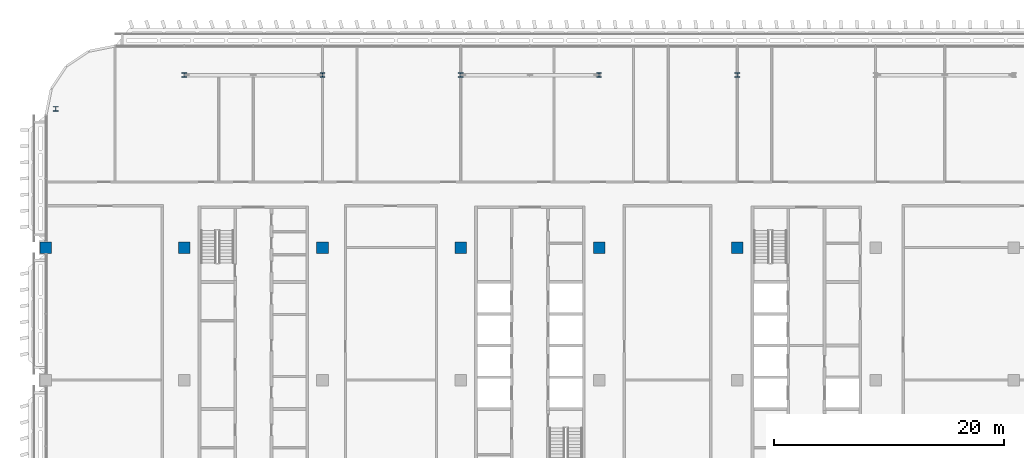
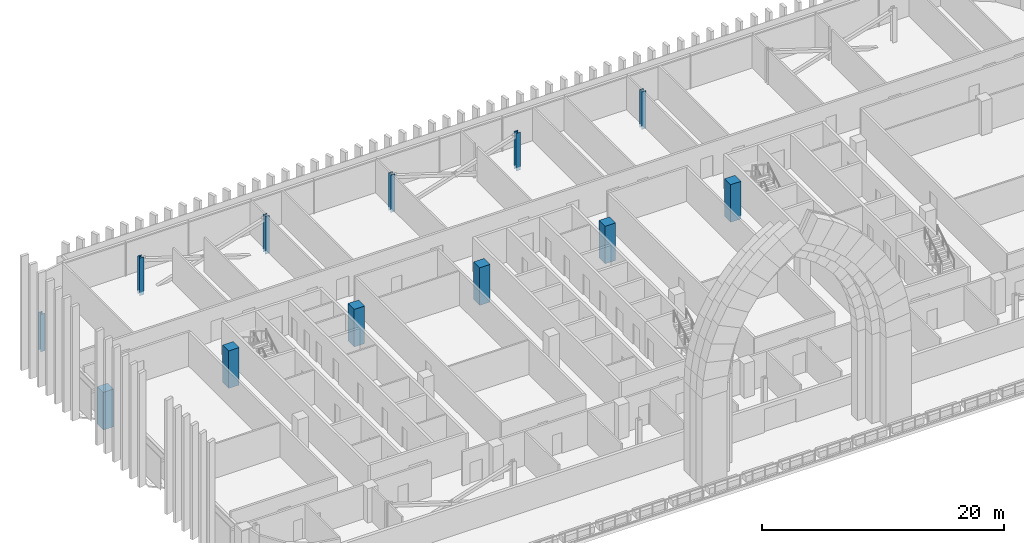
# One storey, part 2 of 30: 12 columns.
"""IFC4 building model written with IfcOpenShell, lengths in metres."""

from ifc_helpers import new_model, si_unit, direction, frame, origin, origin_2d, place, context, subcontext, project, spatial, rectangle, i_section, extrude, material, material_profile, profile_set, type_object, element, save


model = new_model("IFC4")

# Units and contexts
model_context = context("Model", 3, precision=1e-05, world=origin(), true_north=direction((0.0, 1.0)))
body_context = subcontext(model_context, "Body", "Model", "MODEL_VIEW")
ifc_project = project(units=[si_unit("LENGTHUNIT", "METRE"), si_unit("AREAUNIT", "SQUARE_METRE"), si_unit("VOLUMEUNIT", "CUBIC_METRE"), si_unit("PLANEANGLEUNIT", "RADIAN"), si_unit("MASSUNIT", "GRAM", prefix="KILO")], contexts=[model_context])

# Site, building, storey
site_placement = place(None, origin())
site = spatial("IfcSite", under=ifc_project, at=site_placement, CompositionType="ELEMENT")
building_placement = place(site_placement, origin())
building = spatial("IfcBuilding", under=site, at=building_placement, Name="Mahtab Terrace Research Tower", CompositionType="ELEMENT")
storey_placement = place(building_placement, frame((0.0, 0.0, 228.60009765625)))
storey = spatial("IfcBuildingStorey", under=building, at=storey_placement, Name="L55", CompositionType="ELEMENT", Elevation=228.60009765625)

# Columns
ifc_material_1 = material(Name="Concrete C70/85", Category="concrete")
ifc_material_profile_1 = material_profile(ifc_material_1, rectangle(XDim=1.0, YDim=1.0, at=origin_2d()), Name="RC column 1000x1000")
ifc_profile_set_1 = profile_set([ifc_material_profile_1], Name="Concrete C70/85")
column_type_1 = type_object("IfcColumnType", Name="RC column 1000x1000", PredefinedType="COLUMN", material=ifc_profile_set_1)
for number, where, z_axis, x_axis, name in (
    (1, (-42.0, 11.5, -0.340087890625), (0.0, 0.0, 1.0), (1.0, 0.0, 0.0), "Column RC-1C L55"),
    (2, (-30.0, 11.5, -0.340087890625), (0.0, 0.0, 1.0), (1.0, 0.0, 0.0), "Column RC-2C L55"),
    (3, (-18.0, 11.5, -0.340087890625), (0.0, 0.0, 1.0), (1.0, 0.0, 0.0), "Column RC-3C L55"),
    (4, (-6.0, 11.5, -0.340087890625), (0.0, 0.0, 1.0), (1.0, 0.0, 0.0), "Column RC-4C L55"),
    (5, (6.0, 11.5, -0.340087890625), (0.0, 0.0, 1.0), (1.0, 0.0, 0.0), "Column RC-5C L55"),
    (6, (18.0, 11.5, -0.340087890625), (0.0, 0.0, 1.0), (1.0, 0.0, 0.0), "Column RC-6C L55"),
):
    element("IfcColumn", number, at=place(storey_placement, frame(where, z_axis=z_axis, x_axis=x_axis)), inside=storey, type_object=column_type_1, Name=name, PredefinedType="COLUMN", context=body_context, shape_type="SweptSolid", body=[
        extrude(rectangle(XDim=1.0, YDim=1.0, at=origin_2d()), origin(), (0.0, 0.0, 1.0), 3.800048828125),
    ])
ifc_material_2 = material(Name="Steel ASTM A992 Gr 50", Category="steel")
ifc_material_profile_2 = material_profile(ifc_material_2, i_section(OverallWidth=0.398681640625, OverallDepth=0.385986328125, WebThickness=0.02099609375, FlangeThickness=0.033203125, at=origin_2d()), Name="W14X176")
ifc_profile_set_2 = profile_set([ifc_material_profile_2], Name="Steel ASTM A992 Gr 50")
column_type_2 = type_object("IfcColumnType", Name="W14x176 column CS14176", PredefinedType="COLUMN", material=ifc_profile_set_2)
for number, where, z_axis, x_axis, name in (
    (7, (18.0, 26.472900390625, -0.340087890625), (0.0, 0.0, 1.0), (1.0, 0.0, 0.0), "Column SC-055 L55"),
    (8, (6.0, 26.472900390625, -0.340087890625), (0.0, 0.0, 1.0), (1.0, 0.0, 0.0), "Column SC-056 L55"),
    (9, (-6.0, 26.472900390625, -0.340087890625), (0.0, 0.0, 1.0), (1.0, 0.0, 0.0), "Column SC-057 L55"),
    (10, (-18.0, 26.472900390625, -0.340087890625), (0.0, 0.0, 1.0), (1.0, 0.0, 0.0), "Column SC-058 L55"),
    (11, (-30.0, 26.472900390625, -0.340087890625), (0.0, 0.0, 1.0), (1.0, 0.0, 0.0), "Column SC-059 L55"),
    (12, (-41.154052734375, 23.5458984375, -0.340087890625), (0.0, 0.0, 1.0), (1.0, 0.0, 0.0), "Column SC-060 L55"),
):
    element("IfcColumn", number, at=place(storey_placement, frame(where, z_axis=z_axis, x_axis=x_axis)), inside=storey, type_object=column_type_2, Name=name, PredefinedType="COLUMN", context=body_context, shape_type="SweptSolid", body=[
        extrude(i_section(OverallWidth=0.398681640625, OverallDepth=0.385986328125, WebThickness=0.02099609375, FlangeThickness=0.033203125, at=origin_2d()), origin(), (0.0, 0.0, 1.0), 3.800048828125),
    ])

save(model, "model.ifc")
